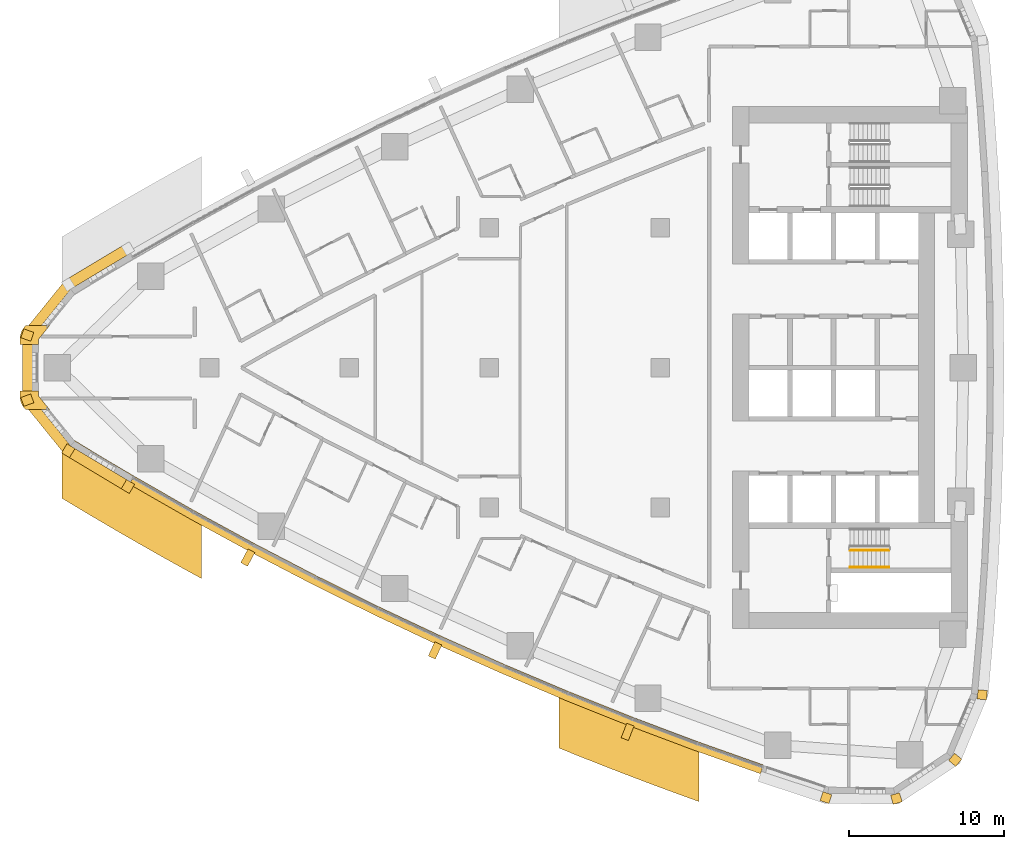
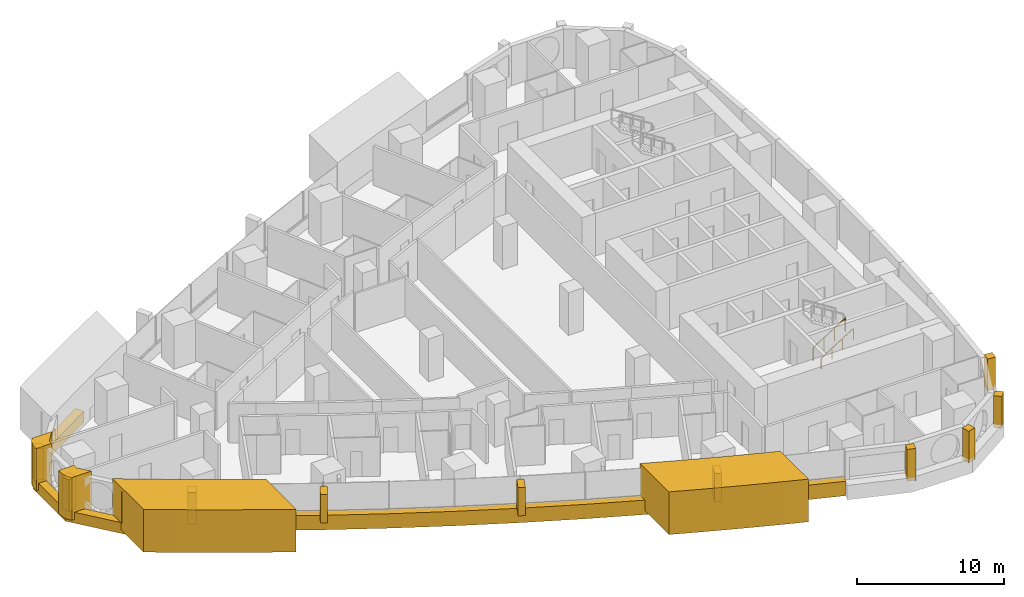
# One storey, part 14 of 17: 17 coverings, 2 railings.
"""IFC4 building model written with IfcOpenShell, lengths in metres."""

import ifcopenshell
import ifcopenshell.guid

model = None  # the IFC model being written
_history = None  # IfcOwnerHistory: only IFC2X3 demands one
_inside = {}  # id of a spatial element -> (the spatial element, [elements in it])
_under = {}  # id of a project, library or spatial element -> (it, [spatial elements below it])
_declared = {}  # id of a project -> (the project, [libraries it declares])
_typed = {}  # id of a type object -> (the type object, [elements of that type])
_made_of = {}  # id of a material, layer set ... -> (it, [elements and type objects made of it])


def new_model(schema):
    """Start an empty IFC model of exactly this schema.

    Asked for "IFC4X3", IfcOpenShell would pick the latest addendum, in which some entities
    have other attributes; the version numbers below select the first issue.
    IFC2X3 requires an IfcOwnerHistory on every rooted entity: one is made here for all.
    """
    global model, _history
    if schema == "IFC4X3":
        model = ifcopenshell.file(schema_version=(4, 3, 0, 0))
    else:
        model = ifcopenshell.file(schema=schema)
    _inside.clear()
    _under.clear()
    _declared.clear()
    _typed.clear()
    _made_of.clear()
    _history = None
    if model.schema == "IFC2X3":
        org = make("IfcOrganization", Name="unknown")
        user = make(
            "IfcPersonAndOrganization",
            ThePerson=make("IfcPerson", FamilyName="unknown"),
            TheOrganization=org,
        )
        app = make(
            "IfcApplication",
            ApplicationDeveloper=org,
            Version="unknown",
            ApplicationFullName="unknown",
            ApplicationIdentifier="unknown",
        )
        _history = make(
            "IfcOwnerHistory",
            OwningUser=user,
            OwningApplication=app,
            ChangeAction="ADDED",
            CreationDate=0,
        )
    return model


def make(cls, **values):
    """One entity of the class cls with the attributes given. An attribute that is None is left unset."""
    return model.create_entity(
        cls, **{name: value for name, value in values.items() if value is not None}
    )


def rooted(cls, **values):
    """An entity with a GlobalId (a new one), such as an element, a storey or a relation."""
    return make(cls, GlobalId=ifcopenshell.guid.new(), OwnerHistory=_history, **values)


def si_unit(unit_type, name, prefix=None):
    """IfcSIUnit, for example si_unit("LENGTHUNIT", "METRE", prefix="MILLI")."""
    return make("IfcSIUnit", UnitType=unit_type, Prefix=prefix, Name=name)


def assignment(units):
    """IfcUnitAssignment: the units of a project."""
    return None if units is None else make("IfcUnitAssignment", Units=units)


def point(xyz):
    """IfcCartesianPoint."""
    return None if xyz is None else make("IfcCartesianPoint", Coordinates=xyz)


def direction(xyz):
    """IfcDirection."""
    return None if xyz is None else make("IfcDirection", DirectionRatios=xyz)


def frame(location, z_axis=None, x_axis=None):
    """IfcAxis2Placement3D, a coordinate frame: its origin and axes. An axis left out is left unset."""
    return make(
        "IfcAxis2Placement3D",
        Location=point(location),
        Axis=direction(z_axis),
        RefDirection=direction(x_axis),
    )


def frame_2d(location, x_axis=None):
    """IfcAxis2Placement2D, a coordinate frame in the plane: its origin and x axis."""
    return make(
        "IfcAxis2Placement2D", Location=point(location), RefDirection=direction(x_axis)
    )


def origin():
    """The frame at (0, 0, 0) with its axes left unset."""
    return frame((0.0, 0.0, 0.0))


def origin_2d():
    """The frame at (0, 0) in the plane with its x axis left unset."""
    return frame_2d((0.0, 0.0))


def place(relative_to, where):
    """IfcLocalPlacement: puts the frame where relative to a parent placement (None: the world)."""
    return make(
        "IfcLocalPlacement", PlacementRelTo=relative_to, RelativePlacement=where
    )


def context(
    kind, dimensions, precision=None, world=None, true_north=None, identifier=None
):
    """IfcGeometricRepresentationContext, for example the 3D "Model" context."""
    return make(
        "IfcGeometricRepresentationContext",
        ContextIdentifier=identifier,
        ContextType=kind,
        CoordinateSpaceDimension=dimensions,
        Precision=precision,
        WorldCoordinateSystem=world,
        TrueNorth=true_north,
    )


def subcontext(parent, identifier, kind, view, scale=None):
    """IfcGeometricRepresentationSubContext, for example "Body" below "Model"."""
    return make(
        "IfcGeometricRepresentationSubContext",
        ContextIdentifier=identifier,
        ContextType=kind,
        ParentContext=parent,
        TargetScale=scale,
        TargetView=view,
    )


def project(units=None, contexts=None):
    """IfcProject with its units and contexts."""
    return rooted(
        "IfcProject",
        Name="project",
        RepresentationContexts=contexts,
        UnitsInContext=assignment(units),
    )


def spatial(cls, under=None, at=None, **own):
    """A site, building, storey or space (cls), placed at a placement, below another one or the project."""
    s = rooted(cls, ObjectPlacement=at, **own)
    if under is not None:
        _under.setdefault(under.id(), (under, []))[1].append(s)
    return s


def polyline(points):
    """IfcPolyline through the points."""
    return make("IfcPolyline", Points=[point(p) for p in points])


def profile(cls, at=None, kind="AREA", **sizes):
    """A parametric profile (cls). Its sizes go by their IFC names, for example OverallWidth=200.0."""
    return make(cls, ProfileType=kind, Position=at, **sizes)


def rectangle(**sizes):
    """IfcRectangleProfileDef."""
    return profile("IfcRectangleProfileDef", **sizes)


def circle(**sizes):
    """IfcCircleProfileDef."""
    return profile("IfcCircleProfileDef", **sizes)


def outline(outer, holes=None, kind="AREA"):
    """IfcArbitraryClosedProfileDef: a profile drawn as a closed curve; with holes, ...WithVoids."""
    if holes is None:
        return make("IfcArbitraryClosedProfileDef", ProfileType=kind, OuterCurve=outer)
    return make(
        "IfcArbitraryProfileDefWithVoids",
        ProfileType=kind,
        OuterCurve=outer,
        InnerCurves=holes,
    )


def extrude(swept, where, along, depth):
    """IfcExtrudedAreaSolid: the profile swept, set in the frame where, extruded along a direction by depth."""
    return make(
        "IfcExtrudedAreaSolid",
        SweptArea=swept,
        Position=where,
        ExtrudedDirection=direction(along),
        Depth=depth,
    )


def shape(context_of_items, identifier, shape_type, items):
    """IfcShapeRepresentation: the items that make up one representation, for example the "Body"."""
    return make(
        "IfcShapeRepresentation",
        ContextOfItems=context_of_items,
        RepresentationIdentifier=identifier,
        RepresentationType=shape_type,
        Items=items,
    )


def material(Name=None, Category=None):
    """IfcMaterial."""
    return make("IfcMaterial", Name=Name, Category=Category)


def layer(
    of_material, thickness, ventilated=None, Name=None, Category=None, Priority=None
):
    """IfcMaterialLayer: one layer of a wall or slab, of a material (None: an air gap)."""
    return make(
        "IfcMaterialLayer",
        Material=of_material,
        LayerThickness=thickness,
        IsVentilated=ventilated,
        Name=Name,
        Category=Category,
        Priority=Priority,
    )


def layer_set(layers, Name=None):
    """IfcMaterialLayerSet."""
    return make("IfcMaterialLayerSet", MaterialLayers=layers, LayerSetName=Name)


def made_of(thing, what):
    """Note that an element or type object is made of a material, layer set ...; save() writes the relation."""
    if what is not None:
        _made_of.setdefault(what.id(), (what, []))[1].append(thing)
    return thing


def type_object(cls, material=None, **own):
    """A type object (cls), such as IfcWallType, which elements share."""
    return made_of(rooted(cls, **own), material)


def element(
    cls,
    number,
    at=None,
    inside=None,
    cuts=None,
    type_object=None,
    material=None,
    context=None,
    identifier="Body",
    shape_type=None,
    held_by="IfcProductDefinitionShape",
    body=None,
    shapes=None,
    **own,
):
    """One element of the class cls, such as IfcWall. Its Tag is "e" and its number.

    at: its placement. inside: the storey or other place that contains it. cuts: it is an
    opening in that element (IfcRelVoidsElement). A single representation is given by context,
    identifier, shape_type and body (its items); several are given by shapes. held_by: the class
    of the entity that holds the representations. save() writes the other relations.
    """
    e = rooted(cls, Tag="e%d" % number, ObjectPlacement=at, **own)
    if body is not None:
        shapes = [shape(context, identifier, shape_type, body)]
    if shapes is not None:
        e.Representation = make(held_by, Representations=shapes)
    if inside is not None:
        _inside.setdefault(inside.id(), (inside, []))[1].append(e)
    if cuts is not None:
        rooted(
            "IfcRelVoidsElement", RelatingBuildingElement=cuts, RelatedOpeningElement=e
        )
    if type_object is not None:
        _typed.setdefault(type_object.id(), (type_object, []))[1].append(e)
    return made_of(e, material)


def aggregate(whole, parts):
    """IfcRelAggregates: a whole, such as a stair, and the parts it consists of."""
    return rooted("IfcRelAggregates", RelatingObject=whole, RelatedObjects=parts)


def save(model, path):
    """Write the relations noted so far, then the file.

    IfcRelAggregates (storeys below a building ...), IfcRelContainedInSpatialStructure (elements
    in a storey), IfcRelDefinesByType, IfcRelAssociatesMaterial and IfcRelDeclares: one each for
    every whole, place, type object, material and project.
    """
    for whole, parts in _under.values():
        aggregate(whole, parts)
    for where, things in _inside.values():
        rooted(
            "IfcRelContainedInSpatialStructure",
            RelatedElements=things,
            RelatingStructure=where,
        )
    for kind, things in _typed.values():
        rooted("IfcRelDefinesByType", RelatedObjects=things, RelatingType=kind)
    for what, things in _made_of.values():
        rooted("IfcRelAssociatesMaterial", RelatedObjects=things, RelatingMaterial=what)
    for by, libraries in _declared.values():
        rooted("IfcRelDeclares", RelatingContext=by, RelatedDefinitions=libraries)
    model.write(path)


model = new_model("IFC4")

# Units and contexts
model_context = context("Model", 3, precision=1e-05, world=origin(), true_north=direction((0.0, 1.0)))
body_context = subcontext(model_context, "Body", "Model", "MODEL_VIEW")
ifc_project = project(units=[si_unit("LENGTHUNIT", "METRE"), si_unit("AREAUNIT", "SQUARE_METRE"), si_unit("VOLUMEUNIT", "CUBIC_METRE"), si_unit("PLANEANGLEUNIT", "RADIAN"), si_unit("MASSUNIT", "GRAM", prefix="KILO")], contexts=[model_context])

# Site, building, storey
site_placement = place(None, origin())
site = spatial("IfcSite", under=ifc_project, at=site_placement, CompositionType="ELEMENT")
building_placement = place(site_placement, origin())
building = spatial("IfcBuilding", under=site, at=building_placement, Name="Ostrand Prow Hotel Tower", CompositionType="ELEMENT")
storey_placement = place(building_placement, frame((0.0, 0.0, 102.64990234375)))
storey = spatial("IfcBuildingStorey", under=building, at=storey_placement, Name="L24", CompositionType="ELEMENT", Elevation=102.64990234375)

# Coverings
ifc_material_1 = material(Name="Bronze anodised aluminium cladding", Category="aluminium")
ifc_layer_1 = layer(ifc_material_1, 0.60009765625)
ifc_layer_set_1 = layer_set([ifc_layer_1], Name="Bronze anodised aluminium cladding")
covering_type_1 = type_object("IfcCoveringType", Name="Bronze prow band 899x600", PredefinedType="CLADDING", material=ifc_layer_set_1)
covering_1_placement = place(storey_placement, frame((0.0, 0.0, -0.2998046875)))
element("IfcCovering", 1, at=covering_1_placement, inside=storey, type_object=covering_type_1, Name="Bronze prow band", PredefinedType="CLADDING", context=body_context, shape_type="SweptSolid", body=[
    extrude(outline(polyline([(10.580810546875, 7.9453125), (6.734130859375, 5.637939453125), (3.957763671875, 2.206787109375), (3.957763671875, -2.206787109375), (6.734130859375, -5.637939453125), (10.580810546875, -7.9453125), (10.9248046875, -7.358642578125), (7.089599609375, -5.058349609375), (4.598876953125, -1.97998046875), (4.598876953125, 1.97998046875), (7.089599609375, 5.058349609375), (10.9248046875, 7.358642578125), (10.580810546875, 7.9453125)])), origin(), (0.0, 0.0, 1.0), 0.89990234375),
])
ifc_material_2 = material(Name="Bronze anodised aluminium cladding", Category="aluminium")
ifc_layer_2 = layer(ifc_material_2, 0.60009765625)
ifc_layer_set_2 = layer_set([ifc_layer_2], Name="Bronze anodised aluminium cladding")
covering_type_2 = type_object("IfcCoveringType", Name="Bronze spandrel band 1200x600", PredefinedType="CLADDING", material=ifc_layer_set_2)
covering_2_placement = place(storey_placement, frame((0.0, 0.0, -0.2998046875)))
element("IfcCovering", 2, at=covering_2_placement, inside=storey, type_object=covering_type_2, Name="Spandrel band S1", PredefinedType="CLADDING", context=body_context, shape_type="SweptSolid", body=[
    extrude(outline(polyline([(10.841064453125, -7.50146484375), (14.72412109375, -9.726318359375), (18.651123046875, -11.872802734375), (22.620361328125, -13.940185546875), (26.6298828125, -15.927734375), (30.6787109375, -17.834716796875), (34.764892578125, -19.659912109375), (38.88671875, -21.4033203125), (43.042724609375, -23.0634765625), (47.231201171875, -24.64013671875), (51.4501953125, -26.1328125), (51.644775390625, -25.56494140625), (47.43701171875, -24.076416015625), (43.259765625, -22.504150390625), (39.114990234375, -20.848388671875), (35.004150390625, -19.10986328125), (30.928955078125, -17.289306640625), (26.89111328125, -15.3876953125), (22.89208984375, -13.4052734375), (18.93359375, -11.343505859375), (15.01708984375, -9.20263671875), (11.144287109375, -6.98388671875), (10.841064453125, -7.50146484375)])), origin(), (0.0, 0.0, 1.0), 1.199951171875),
])
ifc_material_3 = material(Name="Limestone cladding", Category="masonry")
ifc_layer_3 = layer(ifc_material_3, 5.0)
ifc_layer_set_3 = layer_set([ifc_layer_3], Name="Limestone cladding")
covering_type_3 = type_object("IfcCoveringType", Name="Portal jamb pilaster limestone", PredefinedType="CLADDING", material=ifc_layer_set_3)
covering_3_placement = place(storey_placement, origin())
element("IfcCovering", 3, at=covering_3_placement, inside=storey, type_object=covering_type_3, Name="Portal jamb SA L24", PredefinedType="CLADDING", context=body_context, shape_type="SweptSolid", body=[
    extrude(outline(polyline([(6.5, -4.184326171875), (6.5, -8.40625), (7.5, -9.0087890625), (8.5, -9.604248046875), (9.5, -10.19287109375), (10.5, -10.7744140625), (11.5, -11.349365234375), (12.5, -11.91748046875), (13.5, -12.478759765625), (14.5, -13.03369140625), (15.5, -13.581787109375), (15.5, -9.47216796875), (14.5, -8.912353515625), (13.5, -8.345703125), (12.5, -7.772216796875), (11.5, -7.19189453125), (10.5, -6.6044921875), (9.5, -6.01025390625), (8.5, -5.40869140625), (7.5, -4.80029296875), (6.5, -4.184326171875)])), origin(), (0.0, 0.0, 1.0), 3.550048828125),
])
covering_4_placement = place(storey_placement, origin())
element("IfcCovering", 4, at=covering_4_placement, inside=storey, type_object=covering_type_3, Name="Portal jamb SB L24", PredefinedType="CLADDING", context=body_context, shape_type="SweptSolid", body=[
    extrude(outline(polyline([(38.5, -20.59423828125), (38.5, -24.486083984375), (39.5, -24.890380859375), (40.5, -25.2890625), (41.5, -25.68212890625), (42.5, -26.06982421875), (43.5, -26.4521484375), (44.5, -26.8291015625), (45.5, -27.200439453125), (46.5, -27.566650390625), (47.5, -27.927490234375), (47.5, -24.099609375), (46.5, -23.732177734375), (45.5, -23.359130859375), (44.5, -22.98095703125), (43.5, -22.59716796875), (42.5, -22.207763671875), (41.5, -21.812744140625), (40.5, -21.412353515625), (39.5, -21.006103515625), (38.5, -20.59423828125)])), origin(), (0.0, 0.0, 1.0), 3.550048828125),
])
ifc_material_4 = material(Name="Limestone cladding", Category="masonry")
ifc_layer_4 = layer(ifc_material_4, 0.5)
ifc_layer_set_4 = layer_set([ifc_layer_4], Name="Limestone cladding")
covering_type_4 = type_object("IfcCoveringType", Name="Precast stone fin 500x900", PredefinedType="CLADDING", material=ifc_layer_set_4)
for number, where, z_axis, x_axis, name in (
    (5, (18.6982421875, -11.78466796875, 0.900146484375), (0.0, 0.0, 1.0), (-0.470981038243, -0.882143333941, 0.0), "Stone fin S 3"),
    (6, (30.720458984375, -17.74365234375, 0.900146484375), (0.0, 0.0, 1.0), (-0.416982531796, -0.908914499927, 0.0), "Stone fin S 6"),
    (7, (43.0791015625, -22.97021484375, 0.900146484375), (0.0, 0.0, 1.0), (-0.361774694157, -0.932265558019, 0.0), "Stone fin S 9"),
):
    element("IfcCovering", number, at=place(storey_placement, frame(where, z_axis=z_axis, x_axis=x_axis)), inside=storey, type_object=covering_type_4, Name=name, PredefinedType="CLADDING", context=body_context, shape_type="SweptSolid", body=[
        extrude(rectangle(XDim=1.0, YDim=0.5, at=frame_2d((0.5, 0.0))), origin(), (0.0, 0.0, 1.0), 2.349853515625),
    ])
ifc_material_5 = material(Name="Limestone cladding", Category="masonry")
ifc_layer_5 = layer(ifc_material_5, 0.60009765625)
ifc_layer_set_5 = layer_set([ifc_layer_5], Name="Limestone cladding")
covering_type_5 = type_object("IfcCoveringType", Name="Precast stone prow rib 600x600", PredefinedType="CLADDING", material=ifc_layer_set_5)
for number, where, z_axis, x_axis, name in (
    (8, (4.598876953125, 1.97998046875, 0.60009765625), (0.0, 0.0, 1.0), (-0.942744850171, 0.333514838465, 0.0), "Stone prow rib 3"),
    (9, (4.598876953125, -1.97998046875, 0.60009765625), (0.0, 0.0, 1.0), (-0.942744850171, -0.333514838465, 0.0), "Stone prow rib 4"),
    (10, (7.089599609375, -5.058349609375, 0.60009765625), (0.0, 0.0, 1.0), (-0.522814637618, -0.852446394029, 0.0), "Stone prow rib 5"),
):
    element("IfcCovering", number, at=place(storey_placement, frame(where, z_axis=z_axis, x_axis=x_axis)), inside=storey, type_object=covering_type_5, Name=name, PredefinedType="CLADDING", context=body_context, shape_type="SweptSolid", body=[
        extrude(rectangle(XDim=0.679931640625, YDim=0.60009765625, at=frame_2d((0.33984375, 0.0))), origin(), (0.0, 0.0, 1.0), 2.64990234375),
    ])
covering_5_placement = place(storey_placement, frame((10.9248046875, -7.358642578125, 0.60009765625), z_axis=(0.0, 0.0, 1.0), x_axis=(-0.505811626043, -0.862643958397, 0.0)))
element("IfcCovering", 11, at=covering_5_placement, inside=storey, type_object=covering_type_5, Name="Stone prow rib 6", PredefinedType="CLADDING", context=body_context, shape_type="SweptSolid", body=[
    extrude(rectangle(XDim=0.68017578125, YDim=0.60009765625, at=frame_2d((0.340087890625, 0.0))), origin(), (0.0, 0.0, 1.0), 2.64990234375),
])
covering_6_placement = place(storey_placement, frame((55.7490234375, -27.3828125, 0.60009765625), z_axis=(0.0, 0.0, 1.0), x_axis=(-0.305218682065, -0.952282288042, 0.0)))
element("IfcCovering", 12, at=covering_6_placement, inside=storey, type_object=covering_type_5, Name="Stone corner rib 2a", PredefinedType="CLADDING", context=body_context, shape_type="SweptSolid", body=[
    extrude(rectangle(XDim=0.599853515625, YDim=0.60009765625, at=frame_2d((0.2998046875, 0.0))), origin(), (0.0, 0.0, 1.0), 2.64990234375),
])
covering_7_placement = place(storey_placement, frame((60.104736328125, -27.437744140625, 0.60009765625), z_axis=(0.0, 0.0, 1.0), x_axis=(0.280734221166, -0.959785547436, 0.0)))
element("IfcCovering", 13, at=covering_7_placement, inside=storey, type_object=covering_type_5, Name="Stone corner rib 3a", PredefinedType="CLADDING", context=body_context, shape_type="SweptSolid", body=[
    extrude(rectangle(XDim=0.60009765625, YDim=0.60009765625, at=frame_2d((0.300048828125, 0.0))), origin(), (0.0, 0.0, 1.0), 2.64990234375),
])
for number, where, z_axis, x_axis, name in (
    (14, (63.74365234375, -25.043212890625, 0.60009765625), (0.0, 0.0, 1.0), (0.770318500913, -0.637659319034, 0.0), "Stone corner rib 4a"),
    (15, (65.41650390625, -21.02099609375, 0.60009765625), (0.0, 0.0, 1.0), (0.99529571972, -0.096883591531, 0.0), "Stone corner rib 4b"),
):
    element("IfcCovering", number, at=place(storey_placement, frame(where, z_axis=z_axis, x_axis=x_axis)), inside=storey, type_object=covering_type_5, Name=name, PredefinedType="CLADDING", context=body_context, shape_type="SweptSolid", body=[
        extrude(rectangle(XDim=0.599853515625, YDim=0.60009765625, at=frame_2d((0.2998046875, 0.0))), origin(), (0.0, 0.0, 1.0), 2.64990234375),
    ])
ifc_material_6 = material(Name="Limestone cladding", Category="masonry")
ifc_layer_6 = layer(ifc_material_6, 3.0)
ifc_layer_set_6 = layer_set([ifc_layer_6], Name="Limestone cladding")
covering_type_6 = type_object("IfcCoveringType", Name="Prow nose pier limestone", PredefinedType="CLADDING", material=ifc_layer_set_6)
covering_8_placement = place(storey_placement, origin())
element("IfcCovering", 16, at=covering_8_placement, inside=storey, type_object=covering_type_6, Name="Prow spine fin N L24", PredefinedType="CLADDING", context=body_context, shape_type="SweptSolid", body=[
    extrude(outline(polyline([(3.808349609375, 1.8349609375), (3.808349609375, 1.5), (5.00830078125, 1.5), (5.00830078125, 1.8349609375), (5.708251953125, 2.699951171875), (4.16455078125, 2.699951171875), (4.075439453125, 2.58984375), (4.006591796875, 2.495849609375), (3.947265625, 2.3955078125), (3.897705078125, 2.289794921875), (3.85888671875, 2.179931640625), (3.830810546875, 2.06689453125), (3.81396484375, 1.951416015625), (3.808349609375, 1.8349609375)])), origin(), (0.0, 0.0, 1.0), 3.550048828125),
])
covering_9_placement = place(storey_placement, origin())
element("IfcCovering", 17, at=covering_9_placement, inside=storey, type_object=covering_type_6, Name="Prow spine fin S L24", PredefinedType="CLADDING", context=body_context, shape_type="SweptSolid", body=[
    extrude(outline(polyline([(4.075439453125, -2.58984375), (4.16455078125, -2.699951171875), (5.708251953125, -2.699951171875), (5.00830078125, -1.8349609375), (5.00830078125, -1.5), (3.808349609375, -1.5), (3.808349609375, -1.8349609375), (3.81396484375, -1.951416015625), (3.830810546875, -2.06689453125), (3.85888671875, -2.179931640625), (3.897705078125, -2.289794921875), (3.947265625, -2.3955078125), (4.006591796875, -2.495849609375), (4.075439453125, -2.58984375)])), origin(), (0.0, 0.0, 1.0), 3.550048828125),
])

# Railings
ifc_material_7 = material(Name="Painted steel", Category="steel")
railing_type_1 = type_object("IfcRailingType", Name="Stair guard 1100", PredefinedType="GUARDRAIL", material=ifc_material_7)
railing_1_placement = place(storey_placement, frame((57.199951171875, -11.75, 0.177490234375)))
element("IfcRailing", 18, at=railing_1_placement, inside=storey, type_object=railing_type_1, Name="L24 ST2C stair guard 1", PredefinedType="GUARDRAIL", context=body_context, shape_type="SweptSolid", body=[
    extrude(circle(Radius=0.02392578125, at=origin_2d()), frame((0.0, 0.0, 1.076171875), z_axis=(0.84456994832, 0.0, 0.535445237532), x_axis=(0.0, 1.0, 0.0)), (0.0, 0.0, 1.0), 2.98388671875),
    extrude(circle(Radius=0.02099609375, at=origin_2d()), origin(), (0.0, 0.0, 1.0), 1.052001953125),
    extrude(circle(Radius=0.02099609375, at=origin_2d()), frame((0.840087890625, 0.0, 0.532470703125)), (0.0, 0.0, 1.0), 1.052001953125),
    extrude(circle(Radius=0.02099609375, at=origin_2d()), frame((1.679931640625, 0.0, 1.065185546875)), (0.0, 0.0, 1.0), 1.052001953125),
    extrude(circle(Radius=0.02099609375, at=origin_2d()), frame((2.52001953125, 0.0, 1.59765625)), (0.0, 0.0, 1.0), 1.052001953125),
])
ifc_material_8 = material(Name="Stainless steel", Category="steel")
railing_type_2 = type_object("IfcRailingType", Name="Stair handrail 900", PredefinedType="HANDRAIL", material=ifc_material_8)
railing_2_placement = place(storey_placement, frame((57.199951171875, -12.85009765625, 0.177490234375)))
element("IfcRailing", 19, at=railing_2_placement, inside=storey, type_object=railing_type_2, Name="L24 ST2C stair handrail 1", PredefinedType="HANDRAIL", context=body_context, shape_type="SweptSolid", body=[
    extrude(circle(Radius=0.02392578125, at=origin_2d()), frame((0.0, 0.0, 0.8759765625), z_axis=(0.84456994832, 0.0, 0.535445237532), x_axis=(0.0, 1.0, 0.0)), (0.0, 0.0, 1.0), 2.98388671875),
    extrude(circle(Radius=0.02099609375, at=origin_2d()), origin(), (0.0, 0.0, 1.0), 0.851806640625),
    extrude(circle(Radius=0.02099609375, at=origin_2d()), frame((0.840087890625, 0.0, 0.532470703125)), (0.0, 0.0, 1.0), 0.851806640625),
    extrude(circle(Radius=0.02099609375, at=origin_2d()), frame((1.679931640625, 0.0, 1.065185546875)), (0.0, 0.0, 1.0), 0.851806640625),
    extrude(circle(Radius=0.02099609375, at=origin_2d()), frame((2.52001953125, 0.0, 1.59765625)), (0.0, 0.0, 1.0), 0.851806640625),
])

save(model, "model.ifc")
